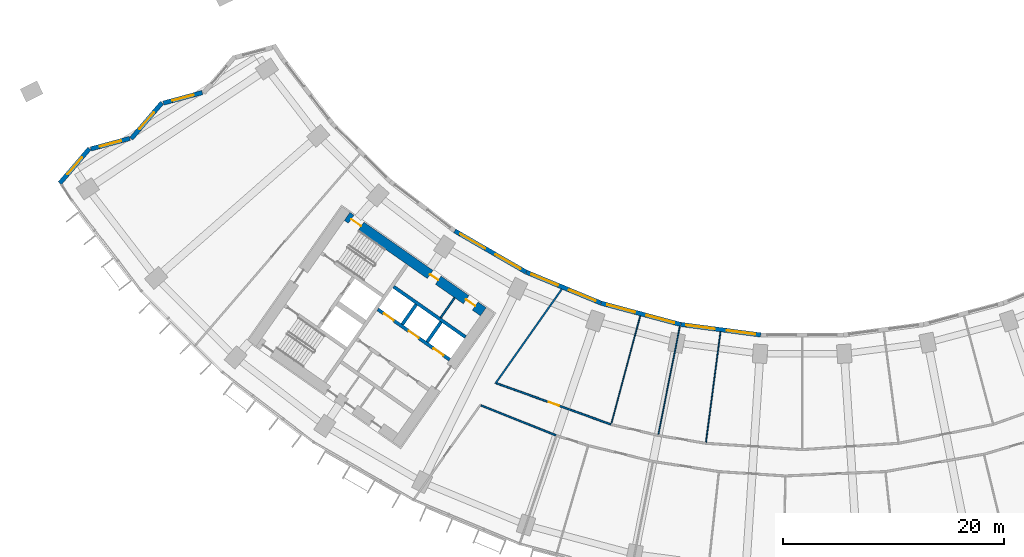
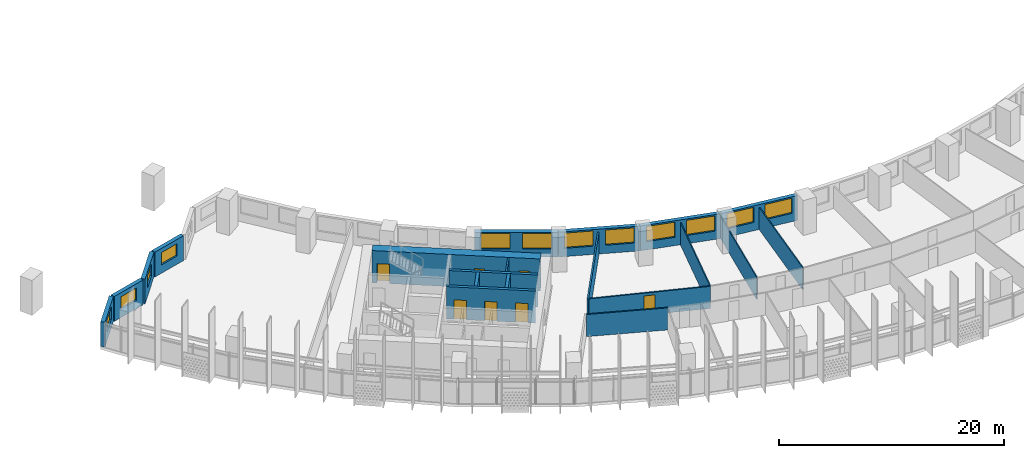
# One storey, part 4 of 31: 20 walls, 12 windows, 7 doors, 19 openings.
"""IFC4 building model written with IfcOpenShell, lengths in metres."""

from ifc_helpers import new_model, si_unit, direction, frame, frame_2d, origin, place, context, subcontext, project, spatial, rectangle, extrude, material, layer, layer_set, type_object, element, fill, save


model = new_model("IFC4")

# Units and contexts
model_context = context("Model", 3, precision=1e-05, world=origin(), true_north=direction((0.0, 1.0)))
body_context = subcontext(model_context, "Body", "Model", "MODEL_VIEW")
ifc_project = project(units=[si_unit("LENGTHUNIT", "METRE"), si_unit("AREAUNIT", "SQUARE_METRE"), si_unit("VOLUMEUNIT", "CUBIC_METRE"), si_unit("PLANEANGLEUNIT", "RADIAN"), si_unit("MASSUNIT", "GRAM", prefix="KILO")], contexts=[model_context])

# Site, building, storey
site_placement = place(None, origin())
site = spatial("IfcSite", under=ifc_project, at=site_placement, CompositionType="ELEMENT")
building_placement = place(site_placement, origin())
building = spatial("IfcBuilding", under=site, at=building_placement, Name="Qamariyya Broadcast Tower", CompositionType="ELEMENT")
storey_placement = place(building_placement, frame((0.0, 0.0, 48.10009765625)))
storey = spatial("IfcBuildingStorey", under=building, at=storey_placement, Name="L08", CompositionType="ELEMENT", Elevation=48.10009765625)

# Wall, openings, doors
ifc_material_1 = material(Name="Concrete C70/85", Category="concrete")
ifc_layer_1 = layer(ifc_material_1, 0.89990234375)
ifc_layer_set_1 = layer_set([ifc_layer_1], Name="Core wall 900 mm Concrete C70/85")
wall_type_1 = type_object("IfcWallType", Name="Core wall 900 mm Concrete C70/85", PredefinedType="SHEAR", material=ifc_layer_set_1)
wall_1_placement = place(storey_placement, frame((-28.8544921875, -54.32421875, 0.0), z_axis=(0.0, 0.0, 1.0), x_axis=(-0.819145767589, 0.573585400304, 0.0)))
wall_1 = element("IfcWall", 1, at=wall_1_placement, inside=storey, type_object=wall_type_1, Name="k-W-L08-WI", PredefinedType="SHEAR", context=body_context, shape_type="SweptSolid", body=[
    extrude(rectangle(XDim=15.04541015625, YDim=0.89990234375, at=frame_2d((7.522705078125, 0.0))), origin(), (0.0, 0.0, 1.0), 3.5),
])
opening_1_placement = place(wall_1_placement, frame((0.89990234375, 0.0, 0.0)))
opening_1 = element("IfcOpeningElement", 2, at=opening_1_placement, cuts=wall_1, Name="Opening KD7-W1", PredefinedType="OPENING", context=body_context, shape_type="SweptSolid", body=[
    extrude(rectangle(XDim=1.0, YDim=2.10009765625, at=frame_2d((0.5, 1.050048828125))), frame((0.0, 0.4599609375, 0.0), z_axis=(0.0, -1.0, 0.0), x_axis=(1.0, 0.0, 0.0)), (0.0, 0.0, 1.0), 0.919921875),
])
opening_2_placement = place(wall_1_placement, frame((4.97509765625, 0.0, 0.0)))
opening_2 = element("IfcOpeningElement", 3, at=opening_2_placement, cuts=wall_1, Name="Opening KD5-W1", PredefinedType="OPENING", context=body_context, shape_type="SweptSolid", body=[
    extrude(rectangle(XDim=0.89990234375, YDim=2.10009765625, at=frame_2d((0.449951171875, 1.050048828125))), frame((0.0, 0.4599609375, 0.0), z_axis=(0.0, -1.0, 0.0), x_axis=(1.0, 0.0, 0.0)), (0.0, 0.0, 1.0), 0.919921875),
])
opening_3_placement = place(wall_1_placement, frame((13.495361328125, 0.0, 0.0)))
opening_3 = element("IfcOpeningElement", 4, at=opening_3_placement, cuts=wall_1, Name="Opening KD1-W1", PredefinedType="OPENING", context=body_context, shape_type="SweptSolid", body=[
    extrude(rectangle(XDim=1.10009765625, YDim=2.10009765625, at=frame_2d((0.550048828125, 1.050048828125))), frame((0.0, 0.4599609375, 0.0), z_axis=(0.0, -1.0, 0.0), x_axis=(1.0, 0.0, 0.0)), (0.0, 0.0, 1.0), 0.919921875),
])
ifc_material_2 = material(Name="Steel fire-resisting door leaf", Category="steel")
door_type_1 = type_object("IfcDoorType", Name="Accessible toilet door KD7", OperationType="SINGLE_SWING_LEFT", PredefinedType="DOOR", material=ifc_material_2)
door_1_placement = place(opening_1_placement, origin())
door_1 = element("IfcDoor", 5, at=door_1_placement, inside=storey, type_object=door_type_1, Name="k-W-L08-WI-D8", OperationType="SINGLE_SWING_LEFT", OverallHeight=2.10009765625, OverallWidth=1.0, PredefinedType="DOOR", context=body_context, shape_type="SweptSolid", body=[
    extrude(rectangle(XDim=1.0, YDim=2.10009765625, at=frame_2d((0.5, 1.050048828125))), frame((0.0, 0.02490234375, 0.0), z_axis=(0.0, -1.0, 0.0), x_axis=(1.0, 0.0, 0.0)), (0.0, 0.0, 1.0), 0.050048828125),
])
fill(opening_1, door_1)
door_type_2 = type_object("IfcDoorType", Name="Stair door KD1", OperationType="SINGLE_SWING_LEFT", PredefinedType="DOOR", material=ifc_material_2)
door_2_placement = place(opening_3_placement, origin())
door_2 = element("IfcDoor", 6, at=door_2_placement, inside=storey, type_object=door_type_2, Name="k-W-L08-WI-D16", OperationType="SINGLE_SWING_RIGHT", OverallHeight=2.10009765625, OverallWidth=1.10009765625, PredefinedType="DOOR", context=body_context, shape_type="SweptSolid", body=[
    extrude(rectangle(XDim=1.10009765625, YDim=2.10009765625, at=frame_2d((0.550048828125, 1.050048828125))), frame((0.0, 0.02490234375, 0.0), z_axis=(0.0, -1.0, 0.0), x_axis=(1.0, 0.0, 0.0)), (0.0, 0.0, 1.0), 0.050048828125),
])
fill(opening_3, door_2)
door_type_3 = type_object("IfcDoorType", Name="Toilet door KD5", OperationType="SINGLE_SWING_LEFT", PredefinedType="DOOR", material=ifc_material_2)
door_3_placement = place(opening_2_placement, origin())
door_3 = element("IfcDoor", 7, at=door_3_placement, inside=storey, type_object=door_type_3, Name="k-W-L08-WI-D9", OperationType="SINGLE_SWING_RIGHT", OverallHeight=2.10009765625, OverallWidth=0.89990234375, PredefinedType="DOOR", context=body_context, shape_type="SweptSolid", body=[
    extrude(rectangle(XDim=0.89990234375, YDim=2.10009765625, at=frame_2d((0.449951171875, 1.050048828125))), frame((0.0, 0.02490234375, 0.0), z_axis=(0.0, -1.0, 0.0), x_axis=(1.0, 0.0, 0.0)), (0.0, 0.0, 1.0), 0.050048828125),
])
fill(opening_2, door_3)

# Wall
ifc_material_3 = material(Name="Gypsum board partition")
ifc_layer_2 = layer(ifc_material_3, 0.14990234375)
ifc_layer_set_2 = layer_set([ifc_layer_2], Name="Corridor partition 150 EI 60")
wall_type_2 = type_object("IfcWallType", Name="Corridor partition 150 EI 60", PredefinedType="PARTITIONING", material=ifc_layer_set_2)
wall_2_placement = place(storey_placement, frame((-29.061279296875, -62.797607421875, 0.0), z_axis=(0.0, 0.0, 1.0), x_axis=(0.928339065762, -0.371734554462, 0.0)))
element("IfcWall", 8, at=wall_2_placement, inside=storey, type_object=wall_type_2, Name="Partition L08-003", PredefinedType="PARTITIONING", context=body_context, shape_type="SweptSolid", body=[
    extrude(rectangle(XDim=7.343994140625, YDim=0.14990234375, at=frame_2d((3.671875, 0.0))), origin(), (0.0, 0.0, 1.0), 2.39990234375),
])

# Wall, opening, door
wall_3_placement = place(storey_placement, frame((-27.65625, -60.79931640625, 0.0), z_axis=(0.0, 0.0, 1.0), x_axis=(0.941106453562, -0.338110400705, 0.0)))
wall_3 = element("IfcWall", 9, at=wall_3_placement, inside=storey, type_object=wall_type_2, Name="Partition L08-004", PredefinedType="PARTITIONING", context=body_context, shape_type="SweptSolid", body=[
    extrude(rectangle(XDim=11.015869140625, YDim=0.14990234375, at=frame_2d((5.5078125, 0.0))), origin(), (0.0, 0.0, 1.0), 2.39990234375),
])
opening_4_placement = place(wall_3_placement, frame((5.008056640625, 0.0, 0.0)))
opening_4 = element("IfcOpeningElement", 10, at=opening_4_placement, cuts=wall_3, Name="Opening L08-D10", PredefinedType="OPENING", context=body_context, shape_type="SweptSolid", body=[
    extrude(rectangle(XDim=1.0, YDim=2.10009765625, at=frame_2d((0.5, 1.050048828125))), frame((0.0, 0.0849609375, 0.0), z_axis=(0.0, -1.0, 0.0), x_axis=(1.0, 0.0, 0.0)), (0.0, 0.0, 1.0), 0.169921875),
])
ifc_material_4 = material(Name="Timber fire door leaf", Category="wood")
door_type_4 = type_object("IfcDoorType", Name="Fire door 1000 x 2100 FD60", OperationType="NOTDEFINED", PredefinedType="DOOR", material=ifc_material_4)
door_4_placement = place(opening_4_placement, origin())
door_4 = element("IfcDoor", 11, at=door_4_placement, inside=storey, type_object=door_type_4, Name="Door L08-D10", OperationType="SINGLE_SWING_RIGHT", OverallHeight=2.10009765625, OverallWidth=1.0, PredefinedType="DOOR", context=body_context, shape_type="SweptSolid", body=[
    extrude(rectangle(XDim=1.0, YDim=2.10009765625, at=frame_2d((0.5, 1.050048828125))), frame((0.0, 0.02490234375, 0.0), z_axis=(0.0, -1.0, 0.0), x_axis=(1.0, 0.0, 0.0)), (0.0, 0.0, 1.0), 0.050048828125),
])
fill(opening_4, door_4)

# Walls
wall_4_placement = place(storey_placement, frame((-21.748291015625, -52.2763671875, 0.0), z_axis=(0.0, 0.0, 1.0), x_axis=(-0.575419434668, -0.817858468322, 0.0)))
element("IfcWall", 12, at=wall_4_placement, inside=storey, type_object=wall_type_2, Name="Partition L08-008", PredefinedType="PARTITIONING", context=body_context, shape_type="SweptSolid", body=[
    extrude(rectangle(XDim=10.46484375, YDim=0.14990234375, at=frame_2d((5.232421875, 0.0))), origin(), (0.0, 0.0, 1.0), 2.39990234375),
])
ifc_material_5 = material(Name="Gypsum board partition on steel studs", Category="steel")
ifc_layer_3 = layer(ifc_material_5, 0.14990234375)
ifc_layer_set_3 = layer_set([ifc_layer_3], Name="Gypsum board partition 150 mm")
wall_type_3 = type_object("IfcWallType", Name="Gypsum board partition 150 mm", PredefinedType="PARTITIONING", material=ifc_layer_set_3)
wall_5_placement = place(storey_placement, frame((-32.709228515625, -54.860107421875, 0.0), z_axis=(0.0, 0.0, 1.0), x_axis=(0.573633636671, 0.819111989218, 0.0)))
element("IfcWall", 13, at=wall_5_placement, inside=storey, type_object=wall_type_3, Name="k-W-L08-NP285", PredefinedType="PARTITIONING", context=body_context, shape_type="SweptSolid", body=[
    extrude(rectangle(XDim=2.199951171875, YDim=0.14990234375, at=frame_2d((1.10009765625, 0.0))), origin(), (0.0, 0.0, 1.0), 3.5),
])

# Wall, openings, doors
ifc_material_6 = material(Name="Concrete C60/75", Category="concrete")
ifc_layer_4 = layer(ifc_material_6, 0.300048828125)
ifc_layer_set_4 = layer_set([ifc_layer_4], Name="Lift shaft wall 300 mm Concrete C60/75")
wall_type_4 = type_object("IfcWallType", Name="Lift shaft wall 300 mm Concrete C60/75", PredefinedType="SOLIDWALL", material=ifc_layer_set_4)
wall_6_placement = place(storey_placement, frame((-31.89453125, -58.66552734375, 0.0), z_axis=(0.0, 0.0, 1.0), x_axis=(-0.819166993208, 0.573555086491, 0.0)))
wall_6 = element("IfcWall", 14, at=wall_6_placement, inside=storey, type_object=wall_type_4, Name="k-W-L08-NF0", PredefinedType="SOLIDWALL", context=body_context, shape_type="SweptSolid", body=[
    extrude(rectangle(XDim=7.9501953125, YDim=0.300048828125, at=frame_2d((3.97509765625, 0.0))), origin(), (0.0, 0.0, 1.0), 3.5),
])
opening_5_placement = place(wall_6_placement, frame((0.675048828125, 0.0, 0.0)))
opening_5 = element("IfcOpeningElement", 15, at=opening_5_placement, cuts=wall_6, Name="Opening LD", PredefinedType="OPENING", context=body_context, shape_type="SweptSolid", body=[
    extrude(rectangle(XDim=1.10009765625, YDim=2.10009765625, at=frame_2d((0.550048828125, 1.050048828125))), frame((0.0, 0.159912109375, 0.0), z_axis=(0.0, -1.0, 0.0), x_axis=(1.0, 0.0, 0.0)), (0.0, 0.0, 1.0), 0.320068359375),
])
opening_6_placement = place(wall_6_placement, frame((3.425048828125, 0.0, 0.0)))
opening_6 = element("IfcOpeningElement", 16, at=opening_6_placement, cuts=wall_6, Name="Opening LD", PredefinedType="OPENING", context=body_context, shape_type="SweptSolid", body=[
    extrude(rectangle(XDim=1.10009765625, YDim=2.10009765625, at=frame_2d((0.550048828125, 1.050048828125))), frame((0.0, 0.159912109375, 0.0), z_axis=(0.0, -1.0, 0.0), x_axis=(1.0, 0.0, 0.0)), (0.0, 0.0, 1.0), 0.320068359375),
])
opening_7_placement = place(wall_6_placement, frame((6.175048828125, 0.0, 0.0)))
opening_7 = element("IfcOpeningElement", 17, at=opening_7_placement, cuts=wall_6, Name="Opening LD", PredefinedType="OPENING", context=body_context, shape_type="SweptSolid", body=[
    extrude(rectangle(XDim=1.10009765625, YDim=2.10009765625, at=frame_2d((0.550048828125, 1.050048828125))), frame((0.0, 0.159912109375, 0.0), z_axis=(0.0, -1.0, 0.0), x_axis=(1.0, 0.0, 0.0)), (0.0, 0.0, 1.0), 0.320068359375),
])
door_type_5 = type_object("IfcDoorType", Name="Lift landing door LD", OperationType="DOUBLE_DOOR_SLIDING", PredefinedType="DOOR", material=ifc_material_2)
door_5_placement = place(opening_5_placement, origin())
door_5 = element("IfcDoor", 18, at=door_5_placement, inside=storey, type_object=door_type_5, Name="k-W-L08-NF0-D2", OperationType="DOUBLE_DOOR_SLIDING", OverallHeight=2.10009765625, OverallWidth=1.10009765625, PredefinedType="DOOR", context=body_context, shape_type="SweptSolid", body=[
    extrude(rectangle(XDim=1.10009765625, YDim=2.10009765625, at=frame_2d((0.550048828125, 1.050048828125))), frame((0.0, 0.02490234375, 0.0), z_axis=(0.0, -1.0, 0.0), x_axis=(1.0, 0.0, 0.0)), (0.0, 0.0, 1.0), 0.050048828125),
])
fill(opening_5, door_5)
door_6_placement = place(opening_6_placement, origin())
door_6 = element("IfcDoor", 19, at=door_6_placement, inside=storey, type_object=door_type_5, Name="k-W-L08-NF0-D3", OperationType="DOUBLE_DOOR_SLIDING", OverallHeight=2.10009765625, OverallWidth=1.10009765625, PredefinedType="DOOR", context=body_context, shape_type="SweptSolid", body=[
    extrude(rectangle(XDim=1.10009765625, YDim=2.10009765625, at=frame_2d((0.550048828125, 1.050048828125))), frame((0.0, 0.02490234375, 0.0), z_axis=(0.0, -1.0, 0.0), x_axis=(1.0, 0.0, 0.0)), (0.0, 0.0, 1.0), 0.050048828125),
])
fill(opening_6, door_6)
door_7_placement = place(opening_7_placement, origin())
door_7 = element("IfcDoor", 20, at=door_7_placement, inside=storey, type_object=door_type_5, Name="k-W-L08-NF0-D4", OperationType="DOUBLE_DOOR_SLIDING", OverallHeight=2.10009765625, OverallWidth=1.10009765625, PredefinedType="DOOR", context=body_context, shape_type="SweptSolid", body=[
    extrude(rectangle(XDim=1.10009765625, YDim=2.10009765625, at=frame_2d((0.550048828125, 1.050048828125))), frame((0.0, 0.02490234375, 0.0), z_axis=(0.0, -1.0, 0.0), x_axis=(1.0, 0.0, 0.0)), (0.0, 0.0, 1.0), 0.050048828125),
])
fill(opening_7, door_7)

# Walls
wall_7_placement = place(storey_placement, frame((-30.460693359375, -56.61767578125, 0.0), z_axis=(0.0, 0.0, 1.0), x_axis=(-0.819142461705, 0.573590121456, 0.0)))
element("IfcWall", 21, at=wall_7_placement, inside=storey, type_object=wall_type_4, Name="k-W-L08-NB0", PredefinedType="SOLIDWALL", context=body_context, shape_type="SweptSolid", body=[
    extrude(rectangle(XDim=7.949951171875, YDim=0.300048828125, at=frame_2d((3.97509765625, 0.0))), origin(), (0.0, 0.0, 1.0), 3.5),
])
wall_8_placement = place(storey_placement, frame((-33.9384765625, -57.051513671875, 0.0), z_axis=(0.0, 0.0, 1.0), x_axis=(0.573581496053, 0.819148501424, 0.0)))
element("IfcWall", 22, at=wall_8_placement, inside=storey, type_object=wall_type_4, Name="k-W-L08-ND0", PredefinedType="SOLIDWALL", context=body_context, shape_type="SweptSolid", body=[
    extrude(rectangle(XDim=2.2001953125, YDim=0.300048828125, at=frame_2d((1.10009765625, 0.0))), origin(), (0.0, 0.0, 1.0), 3.5),
])
wall_9_placement = place(storey_placement, frame((-36.19091796875, -55.47412109375, 0.0), z_axis=(0.0, 0.0, 1.0), x_axis=(0.573507030513, 0.819200638399, 0.0)))
element("IfcWall", 23, at=wall_9_placement, inside=storey, type_object=wall_type_4, Name="k-W-L08-ND1", PredefinedType="SOLIDWALL", context=body_context, shape_type="SweptSolid", body=[
    extrude(rectangle(XDim=2.199951171875, YDim=0.300048828125, at=frame_2d((1.10009765625, 0.0))), origin(), (0.0, 0.0, 1.0), 3.5),
])
ifc_layer_5 = layer(ifc_material_3, 0.10009765625)
ifc_layer_set_5 = layer_set([ifc_layer_5], Name="Partition 100")
wall_type_5 = type_object("IfcWallType", Name="Partition 100", PredefinedType="PARTITIONING", material=ifc_layer_set_5)
wall_10_placement = place(storey_placement, frame((-14.65673828125, -54.69970703125, 0.0), z_axis=(0.0, 0.0, 1.0), x_axis=(-0.258825935876, -0.965923979885, 0.0)))
element("IfcWall", 24, at=wall_10_placement, inside=storey, type_object=wall_type_5, Name="Partition L08-012", PredefinedType="PARTITIONING", context=body_context, shape_type="SweptSolid", body=[
    extrude(rectangle(XDim=10.095703125, YDim=0.10009765625, at=frame_2d((5.0478515625, 0.0))), origin(), (0.0, 0.0, 1.0), 2.39990234375),
])
wall_11_placement = place(storey_placement, frame((-11.0712890625, -55.65966796875, 0.0), z_axis=(0.0, 0.0, 1.0), x_axis=(-0.195094645032, -0.980784420492, 0.0)))
element("IfcWall", 25, at=wall_11_placement, inside=storey, type_object=wall_type_5, Name="Partition L08-015", PredefinedType="PARTITIONING", context=body_context, shape_type="SweptSolid", body=[
    extrude(rectangle(XDim=9.974853515625, YDim=0.10009765625, at=frame_2d((4.9873046875, 0.0))), origin(), (0.0, 0.0, 1.0), 2.39990234375),
])
wall_12_placement = place(storey_placement, frame((-7.3916015625, -56.144775390625, 0.0), z_axis=(0.0, 0.0, 1.0), x_axis=(-0.130538336764, -0.991443262439, 0.0)))
element("IfcWall", 26, at=wall_12_placement, inside=storey, type_object=wall_type_5, Name="Partition L08-019", PredefinedType="PARTITIONING", context=body_context, shape_type="SweptSolid", body=[
    extrude(rectangle(XDim=10.095703125, YDim=0.10009765625, at=frame_2d((5.0478515625, 0.0))), origin(), (0.0, 0.0, 1.0), 2.39990234375),
])

# Wall, opening, window
ifc_material_7 = material(Name="Terracotta", Category="masonry")
ifc_layer_6 = layer(ifc_material_7, 0.39990234375)
ifc_layer_set_6 = layer_set([ifc_layer_6], Name="Terracotta clad wall 400")
wall_type_6 = type_object("IfcWallType", Name="Terracotta clad wall 400", PredefinedType="SOLIDWALL", material=ifc_layer_set_6)
wall_13_placement = place(storey_placement, frame((-54.28173828125, -34.48828125, 0.0), z_axis=(0.0, 0.0, 1.0), x_axis=(-0.965564040066, -0.260165494506, 0.0)))
wall_13 = element("IfcWall", 27, at=wall_13_placement, inside=storey, type_object=wall_type_6, Name="e-wl-L08-capW2", PredefinedType="SOLIDWALL", context=body_context, shape_type="SweptSolid", body=[
    extrude(rectangle(XDim=3.6474609375, YDim=0.39990234375, at=frame_2d((1.82373046875, 0.0))), origin(), (0.0, 0.0, 1.0), 2.699951171875),
])
opening_8_placement = place(wall_13_placement, frame((0.82373046875, 0.0, 0.89990234375)))
opening_8 = element("IfcOpeningElement", 28, at=opening_8_placement, cuts=wall_13, Name="Opening W4", PredefinedType="OPENING", context=body_context, shape_type="SweptSolid", body=[
    extrude(rectangle(XDim=2.0, YDim=1.35009765625, at=frame_2d((1.0, 0.675048828125))), frame((0.0, 0.2099609375, 0.0), z_axis=(0.0, -1.0, 0.0), x_axis=(1.0, 0.0, 0.0)), (0.0, 0.0, 1.0), 0.419921875),
])
ifc_material_8 = material(Name="Clear low-e double glazed unit in aluminium frame", Category="aluminium")
window_type_1 = type_object("IfcWindowType", Name="Horn bay window 2000 x 1350", PartitioningType="SINGLE_PANEL", PredefinedType="WINDOW", material=ifc_material_8)
window_1_placement = place(opening_8_placement, origin())
window_1 = element("IfcWindow", 29, at=window_1_placement, inside=storey, type_object=window_type_1, Name="e-w-L08-capW2", OverallHeight=1.35009765625, OverallWidth=2.0, PartitioningType="SINGLE_PANEL", PredefinedType="WINDOW", context=body_context, shape_type="SweptSolid", body=[
    extrude(rectangle(XDim=2.0, YDim=1.35009765625, at=frame_2d((1.0, 0.675048828125))), frame((0.0, 0.030029296875, 0.0), z_axis=(0.0, -1.0, 0.0), x_axis=(1.0, 0.0, 0.0)), (0.0, 0.0, 1.0), 0.06005859375),
])
fill(opening_8, window_1)

wall_14_placement = place(storey_placement, frame((-57.928466796875, -35.40673828125, 0.0), z_axis=(0.0, 0.0, 1.0), x_axis=(-0.650454234423, -0.759545448884, 0.0)))
wall_14 = element("IfcWall", 30, at=wall_14_placement, inside=storey, type_object=wall_type_6, Name="e-wl-L08-capW3", PredefinedType="SOLIDWALL", context=body_context, shape_type="SweptSolid", body=[
    extrude(rectangle(XDim=4.294677734375, YDim=0.39990234375, at=frame_2d((2.1474609375, 0.0))), origin(), (0.0, 0.0, 1.0), 2.699951171875),
])
opening_9_placement = place(wall_14_placement, frame((1.147216796875, 0.0, 0.89990234375)))
opening_9 = element("IfcOpeningElement", 31, at=opening_9_placement, cuts=wall_14, Name="Opening W4", PredefinedType="OPENING", context=body_context, shape_type="SweptSolid", body=[
    extrude(rectangle(XDim=2.0, YDim=1.35009765625, at=frame_2d((1.0, 0.675048828125))), frame((0.0, 0.2099609375, 0.0), z_axis=(0.0, -1.0, 0.0), x_axis=(1.0, 0.0, 0.0)), (0.0, 0.0, 1.0), 0.419921875),
])
window_2_placement = place(opening_9_placement, origin())
window_2 = element("IfcWindow", 32, at=window_2_placement, inside=storey, type_object=window_type_1, Name="e-w-L08-capW3", OverallHeight=1.35009765625, OverallWidth=2.0, PartitioningType="SINGLE_PANEL", PredefinedType="WINDOW", context=body_context, shape_type="SweptSolid", body=[
    extrude(rectangle(XDim=2.0, YDim=1.35009765625, at=frame_2d((1.0, 0.675048828125))), frame((0.0, 0.030029296875, 0.0), z_axis=(0.0, -1.0, 0.0), x_axis=(1.0, 0.0, 0.0)), (0.0, 0.0, 1.0), 0.06005859375),
])
fill(opening_9, window_2)

wall_15_placement = place(storey_placement, frame((-60.8466796875, -38.637939453125, 0.0), z_axis=(0.0, 0.0, 1.0), x_axis=(-0.96553172277, -0.260285405515, 0.0)))
wall_15 = element("IfcWall", 33, at=wall_15_placement, inside=storey, type_object=wall_type_6, Name="e-wl-L08-capW4", PredefinedType="SOLIDWALL", context=body_context, shape_type="SweptSolid", body=[
    extrude(rectangle(XDim=3.648681640625, YDim=0.39990234375, at=frame_2d((1.82421875, 0.0))), origin(), (0.0, 0.0, 1.0), 2.699951171875),
])
opening_10_placement = place(wall_15_placement, frame((0.824462890625, 0.0, 0.89990234375)))
opening_10 = element("IfcOpeningElement", 34, at=opening_10_placement, cuts=wall_15, Name="Opening W4", PredefinedType="OPENING", context=body_context, shape_type="SweptSolid", body=[
    extrude(rectangle(XDim=2.0, YDim=1.35009765625, at=frame_2d((1.0, 0.675048828125))), frame((0.0, 0.2099609375, 0.0), z_axis=(0.0, -1.0, 0.0), x_axis=(1.0, 0.0, 0.0)), (0.0, 0.0, 1.0), 0.419921875),
])
window_3_placement = place(opening_10_placement, origin())
window_3 = element("IfcWindow", 35, at=window_3_placement, inside=storey, type_object=window_type_1, Name="e-w-L08-capW4", OverallHeight=1.35009765625, OverallWidth=2.0, PartitioningType="SINGLE_PANEL", PredefinedType="WINDOW", context=body_context, shape_type="SweptSolid", body=[
    extrude(rectangle(XDim=2.0, YDim=1.35009765625, at=frame_2d((1.0, 0.675048828125))), frame((0.0, 0.030029296875, 0.0), z_axis=(0.0, -1.0, 0.0), x_axis=(1.0, 0.0, 0.0)), (0.0, 0.0, 1.0), 0.06005859375),
])
fill(opening_10, window_3)

wall_16_placement = place(storey_placement, frame((-64.494384765625, -39.55712890625, 0.0), z_axis=(0.0, 0.0, 1.0), x_axis=(-0.650415699552, -0.759578447414, 0.0)))
wall_16 = element("IfcWall", 36, at=wall_16_placement, inside=storey, type_object=wall_type_6, Name="e-wl-L08-capW5", PredefinedType="SOLIDWALL", context=body_context, shape_type="SweptSolid", body=[
    extrude(rectangle(XDim=4.121826171875, YDim=0.39990234375, at=frame_2d((2.06103515625, 0.0))), origin(), (0.0, 0.0, 1.0), 2.699951171875),
])
opening_11_placement = place(wall_16_placement, frame((1.060791015625, 0.0, 0.89990234375)))
opening_11 = element("IfcOpeningElement", 37, at=opening_11_placement, cuts=wall_16, Name="Opening W4", PredefinedType="OPENING", context=body_context, shape_type="SweptSolid", body=[
    extrude(rectangle(XDim=2.0, YDim=1.35009765625, at=frame_2d((1.0, 0.675048828125))), frame((0.0, 0.2099609375, 0.0), z_axis=(0.0, -1.0, 0.0), x_axis=(1.0, 0.0, 0.0)), (0.0, 0.0, 1.0), 0.419921875),
])
window_4_placement = place(opening_11_placement, origin())
window_4 = element("IfcWindow", 38, at=window_4_placement, inside=storey, type_object=window_type_1, Name="e-w-L08-capW5", OverallHeight=1.35009765625, OverallWidth=2.0, PartitioningType="SINGLE_PANEL", PredefinedType="WINDOW", context=body_context, shape_type="SweptSolid", body=[
    extrude(rectangle(XDim=2.0, YDim=1.35009765625, at=frame_2d((1.0, 0.675048828125))), frame((0.0, 0.030029296875, 0.0), z_axis=(0.0, -1.0, 0.0), x_axis=(1.0, 0.0, 0.0)), (0.0, 0.0, 1.0), 0.06005859375),
])
fill(opening_11, window_4)

# Wall, openings, windows
wall_17_placement = place(storey_placement, frame((-24.989990234375, -50.73095703125, 0.0), z_axis=(0.0, 0.0, 1.0), x_axis=(-0.866037641005, 0.499978803913, 0.0)))
wall_17 = element("IfcWall", 39, at=wall_17_placement, inside=storey, type_object=wall_type_6, Name="e-wl-L08-in40", PredefinedType="SOLIDWALL", context=body_context, shape_type="SweptSolid", body=[
    extrude(rectangle(XDim=7.447021484375, YDim=0.39990234375, at=frame_2d((3.7236328125, 0.0))), origin(), (0.0, 0.0, 1.0), 2.699951171875),
])
opening_12_placement = place(wall_17_placement, frame((4.266357421875, 0.0, 0.89990234375)))
opening_12 = element("IfcOpeningElement", 40, at=opening_12_placement, cuts=wall_17, Name="Opening W1", PredefinedType="OPENING", context=body_context, shape_type="SweptSolid", body=[
    extrude(rectangle(XDim=2.60009765625, YDim=1.64990234375, at=frame_2d((1.300048828125, 0.824951171875))), frame((0.0, 0.2099609375, 0.0), z_axis=(0.0, -1.0, 0.0), x_axis=(1.0, 0.0, 0.0)), (0.0, 0.0, 1.0), 0.419921875),
])
opening_13_placement = place(wall_17_placement, frame((0.580810546875, 0.0, 0.89990234375)))
opening_13 = element("IfcOpeningElement", 41, at=opening_13_placement, cuts=wall_17, Name="Opening W1", PredefinedType="OPENING", context=body_context, shape_type="SweptSolid", body=[
    extrude(rectangle(XDim=2.60009765625, YDim=1.64990234375, at=frame_2d((1.300048828125, 0.824951171875))), frame((0.0, 0.2099609375, 0.0), z_axis=(0.0, -1.0, 0.0), x_axis=(1.0, 0.0, 0.0)), (0.0, 0.0, 1.0), 0.419921875),
])
window_type_2 = type_object("IfcWindowType", Name="Ribbon window 2600 x 1650", PartitioningType="SINGLE_PANEL", PredefinedType="WINDOW", material=ifc_material_8)
window_5_placement = place(opening_12_placement, origin())
window_5 = element("IfcWindow", 42, at=window_5_placement, inside=storey, type_object=window_type_2, Name="e-w-L08-in04-0", OverallHeight=1.64990234375, OverallWidth=2.60009765625, PartitioningType="SINGLE_PANEL", PredefinedType="WINDOW", context=body_context, shape_type="SweptSolid", body=[
    extrude(rectangle(XDim=2.60009765625, YDim=1.64990234375, at=frame_2d((1.300048828125, 0.824951171875))), frame((0.0, 0.030029296875, 0.0), z_axis=(0.0, -1.0, 0.0), x_axis=(1.0, 0.0, 0.0)), (0.0, 0.0, 1.0), 0.06005859375),
])
fill(opening_12, window_5)
window_6_placement = place(opening_13_placement, origin())
window_6 = element("IfcWindow", 43, at=window_6_placement, inside=storey, type_object=window_type_2, Name="e-w-L08-in04-1", OverallHeight=1.64990234375, OverallWidth=2.60009765625, PartitioningType="SINGLE_PANEL", PredefinedType="WINDOW", context=body_context, shape_type="SweptSolid", body=[
    extrude(rectangle(XDim=2.60009765625, YDim=1.64990234375, at=frame_2d((1.300048828125, 0.824951171875))), frame((0.0, 0.030029296875, 0.0), z_axis=(0.0, -1.0, 0.0), x_axis=(1.0, 0.0, 0.0)), (0.0, 0.0, 1.0), 0.06005859375),
])
fill(opening_13, window_6)

wall_18_placement = place(storey_placement, frame((-18.224365234375, -53.52978515625, 0.0), z_axis=(0.0, 0.0, 1.0), x_axis=(-0.923891626322, 0.382654234018, 0.0)))
wall_18 = element("IfcWall", 44, at=wall_18_placement, inside=storey, type_object=wall_type_6, Name="e-wl-L08-in50", PredefinedType="SOLIDWALL", context=body_context, shape_type="SweptSolid", body=[
    extrude(rectangle(XDim=7.295654296875, YDim=0.39990234375, at=frame_2d((3.64794921875, 0.0))), origin(), (0.0, 0.0, 1.0), 2.699951171875),
])
opening_14_placement = place(wall_18_placement, frame((4.190673828125, 0.0, 0.89990234375)))
opening_14 = element("IfcOpeningElement", 45, at=opening_14_placement, cuts=wall_18, Name="Opening W1", PredefinedType="OPENING", context=body_context, shape_type="SweptSolid", body=[
    extrude(rectangle(XDim=2.60009765625, YDim=1.64990234375, at=frame_2d((1.300048828125, 0.824951171875))), frame((0.0, 0.2099609375, 0.0), z_axis=(0.0, -1.0, 0.0), x_axis=(1.0, 0.0, 0.0)), (0.0, 0.0, 1.0), 0.419921875),
])
opening_15_placement = place(wall_18_placement, frame((0.505126953125, 0.0, 0.89990234375)))
opening_15 = element("IfcOpeningElement", 46, at=opening_15_placement, cuts=wall_18, Name="Opening W1", PredefinedType="OPENING", context=body_context, shape_type="SweptSolid", body=[
    extrude(rectangle(XDim=2.60009765625, YDim=1.64990234375, at=frame_2d((1.300048828125, 0.824951171875))), frame((0.0, 0.2099609375, 0.0), z_axis=(0.0, -1.0, 0.0), x_axis=(1.0, 0.0, 0.0)), (0.0, 0.0, 1.0), 0.419921875),
])
window_7_placement = place(opening_14_placement, origin())
window_7 = element("IfcWindow", 47, at=window_7_placement, inside=storey, type_object=window_type_2, Name="e-w-L08-in05-0", OverallHeight=1.64990234375, OverallWidth=2.60009765625, PartitioningType="SINGLE_PANEL", PredefinedType="WINDOW", context=body_context, shape_type="SweptSolid", body=[
    extrude(rectangle(XDim=2.60009765625, YDim=1.64990234375, at=frame_2d((1.300048828125, 0.824951171875))), frame((0.0, 0.030029296875, 0.0), z_axis=(0.0, -1.0, 0.0), x_axis=(1.0, 0.0, 0.0)), (0.0, 0.0, 1.0), 0.06005859375),
])
fill(opening_14, window_7)
window_8_placement = place(opening_15_placement, origin())
window_8 = element("IfcWindow", 48, at=window_8_placement, inside=storey, type_object=window_type_2, Name="e-w-L08-in05-1", OverallHeight=1.64990234375, OverallWidth=2.60009765625, PartitioningType="SINGLE_PANEL", PredefinedType="WINDOW", context=body_context, shape_type="SweptSolid", body=[
    extrude(rectangle(XDim=2.60009765625, YDim=1.64990234375, at=frame_2d((1.300048828125, 0.824951171875))), frame((0.0, 0.030029296875, 0.0), z_axis=(0.0, -1.0, 0.0), x_axis=(1.0, 0.0, 0.0)), (0.0, 0.0, 1.0), 0.06005859375),
])
fill(opening_15, window_8)

wall_19_placement = place(storey_placement, frame((-11.00830078125, -55.47021484375, 0.0), z_axis=(0.0, 0.0, 1.0), x_axis=(-0.965924637935, 0.25882348006, 0.0)))
wall_19 = element("IfcWall", 49, at=wall_19_placement, inside=storey, type_object=wall_type_6, Name="e-wl-L08-in60", PredefinedType="SOLIDWALL", context=body_context, shape_type="SweptSolid", body=[
    extrude(rectangle(XDim=7.447021484375, YDim=0.39990234375, at=frame_2d((3.7236328125, 0.0))), origin(), (0.0, 0.0, 1.0), 2.699951171875),
])
opening_16_placement = place(wall_19_placement, frame((4.266357421875, 0.0, 0.89990234375)))
opening_16 = element("IfcOpeningElement", 50, at=opening_16_placement, cuts=wall_19, Name="Opening W1", PredefinedType="OPENING", context=body_context, shape_type="SweptSolid", body=[
    extrude(rectangle(XDim=2.60009765625, YDim=1.64990234375, at=frame_2d((1.300048828125, 0.824951171875))), frame((0.0, 0.2099609375, 0.0), z_axis=(0.0, -1.0, 0.0), x_axis=(1.0, 0.0, 0.0)), (0.0, 0.0, 1.0), 0.419921875),
])
opening_17_placement = place(wall_19_placement, frame((0.580810546875, 0.0, 0.89990234375)))
opening_17 = element("IfcOpeningElement", 51, at=opening_17_placement, cuts=wall_19, Name="Opening W1", PredefinedType="OPENING", context=body_context, shape_type="SweptSolid", body=[
    extrude(rectangle(XDim=2.60009765625, YDim=1.64990234375, at=frame_2d((1.300048828125, 0.824951171875))), frame((0.0, 0.2099609375, 0.0), z_axis=(0.0, -1.0, 0.0), x_axis=(1.0, 0.0, 0.0)), (0.0, 0.0, 1.0), 0.419921875),
])
window_9_placement = place(opening_16_placement, origin())
window_9 = element("IfcWindow", 52, at=window_9_placement, inside=storey, type_object=window_type_2, Name="e-w-L08-in06-0", OverallHeight=1.64990234375, OverallWidth=2.60009765625, PartitioningType="SINGLE_PANEL", PredefinedType="WINDOW", context=body_context, shape_type="SweptSolid", body=[
    extrude(rectangle(XDim=2.60009765625, YDim=1.64990234375, at=frame_2d((1.300048828125, 0.824951171875))), frame((0.0, 0.030029296875, 0.0), z_axis=(0.0, -1.0, 0.0), x_axis=(1.0, 0.0, 0.0)), (0.0, 0.0, 1.0), 0.06005859375),
])
fill(opening_16, window_9)
window_10_placement = place(opening_17_placement, origin())
window_10 = element("IfcWindow", 53, at=window_10_placement, inside=storey, type_object=window_type_2, Name="e-w-L08-in06-1", OverallHeight=1.64990234375, OverallWidth=2.60009765625, PartitioningType="SINGLE_PANEL", PredefinedType="WINDOW", context=body_context, shape_type="SweptSolid", body=[
    extrude(rectangle(XDim=2.60009765625, YDim=1.64990234375, at=frame_2d((1.300048828125, 0.824951171875))), frame((0.0, 0.030029296875, 0.0), z_axis=(0.0, -1.0, 0.0), x_axis=(1.0, 0.0, 0.0)), (0.0, 0.0, 1.0), 0.06005859375),
])
fill(opening_17, window_10)

wall_20_placement = place(storey_placement, frame((-3.748779296875, -56.422607421875, 0.0), z_axis=(0.0, 0.0, 1.0), x_axis=(-0.99144746031, 0.130506449818, 0.0)))
wall_20 = element("IfcWall", 54, at=wall_20_placement, inside=storey, type_object=wall_type_6, Name="e-wl-L08-in70", PredefinedType="SOLIDWALL", context=body_context, shape_type="SweptSolid", body=[
    extrude(rectangle(XDim=7.2958984375, YDim=0.39990234375, at=frame_2d((3.64794921875, 0.0))), origin(), (0.0, 0.0, 1.0), 2.699951171875),
])
opening_18_placement = place(wall_20_placement, frame((4.190673828125, 0.0, 0.89990234375)))
opening_18 = element("IfcOpeningElement", 55, at=opening_18_placement, cuts=wall_20, Name="Opening W1", PredefinedType="OPENING", context=body_context, shape_type="SweptSolid", body=[
    extrude(rectangle(XDim=2.60009765625, YDim=1.64990234375, at=frame_2d((1.300048828125, 0.824951171875))), frame((0.0, 0.2099609375, 0.0), z_axis=(0.0, -1.0, 0.0), x_axis=(1.0, 0.0, 0.0)), (0.0, 0.0, 1.0), 0.419921875),
])
opening_19_placement = place(wall_20_placement, frame((0.505126953125, 0.0, 0.89990234375)))
opening_19 = element("IfcOpeningElement", 56, at=opening_19_placement, cuts=wall_20, Name="Opening W1", PredefinedType="OPENING", context=body_context, shape_type="SweptSolid", body=[
    extrude(rectangle(XDim=2.60009765625, YDim=1.64990234375, at=frame_2d((1.300048828125, 0.824951171875))), frame((0.0, 0.2099609375, 0.0), z_axis=(0.0, -1.0, 0.0), x_axis=(1.0, 0.0, 0.0)), (0.0, 0.0, 1.0), 0.419921875),
])
window_11_placement = place(opening_18_placement, origin())
window_11 = element("IfcWindow", 57, at=window_11_placement, inside=storey, type_object=window_type_2, Name="e-w-L08-in07-0", OverallHeight=1.64990234375, OverallWidth=2.60009765625, PartitioningType="SINGLE_PANEL", PredefinedType="WINDOW", context=body_context, shape_type="SweptSolid", body=[
    extrude(rectangle(XDim=2.60009765625, YDim=1.64990234375, at=frame_2d((1.300048828125, 0.824951171875))), frame((0.0, 0.030029296875, 0.0), z_axis=(0.0, -1.0, 0.0), x_axis=(1.0, 0.0, 0.0)), (0.0, 0.0, 1.0), 0.06005859375),
])
fill(opening_18, window_11)
window_12_placement = place(opening_19_placement, origin())
window_12 = element("IfcWindow", 58, at=window_12_placement, inside=storey, type_object=window_type_2, Name="e-w-L08-in07-1", OverallHeight=1.64990234375, OverallWidth=2.60009765625, PartitioningType="SINGLE_PANEL", PredefinedType="WINDOW", context=body_context, shape_type="SweptSolid", body=[
    extrude(rectangle(XDim=2.60009765625, YDim=1.64990234375, at=frame_2d((1.300048828125, 0.824951171875))), frame((0.0, 0.030029296875, 0.0), z_axis=(0.0, -1.0, 0.0), x_axis=(1.0, 0.0, 0.0)), (0.0, 0.0, 1.0), 0.06005859375),
])
fill(opening_19, window_12)

save(model, "model.ifc")
